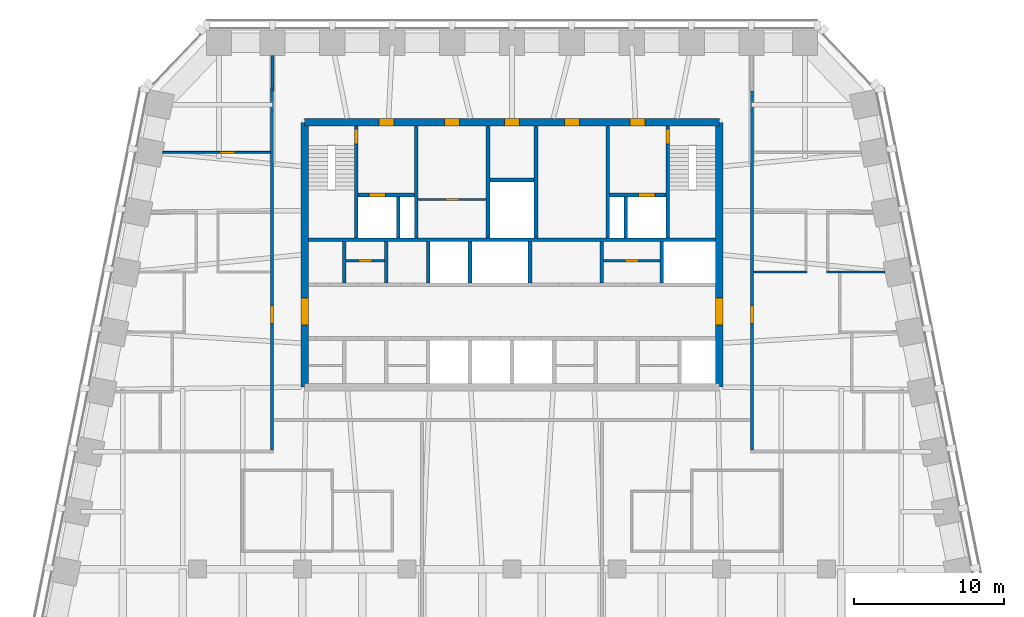
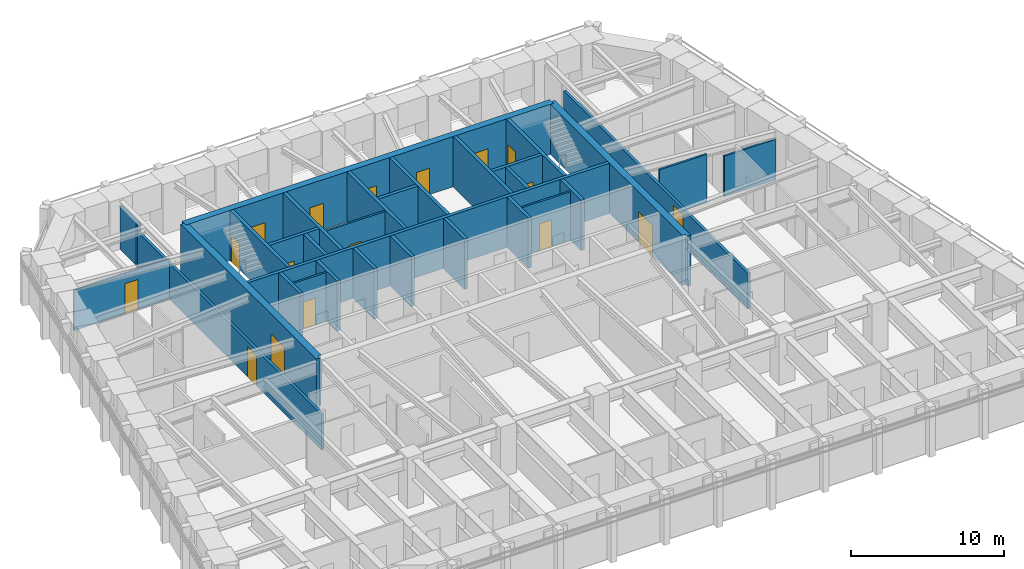
# One storey, part 9 of 12: 32 walls, 17 doors, 17 openings.
"""IFC4 building model written with IfcOpenShell, lengths in metres."""

from ifc_helpers import new_model, si_unit, direction, frame, frame_2d, origin, place, context, subcontext, project, spatial, polyline, rectangle, outline, extrude, material, layer, layer_set, type_object, element, fill, save


model = new_model("IFC4")

# Units and contexts
model_context = context("Model", 3, precision=1e-05, world=origin(), true_north=direction((0.0, 1.0)))
body_context = subcontext(model_context, "Body", "Model", "MODEL_VIEW")
ifc_project = project(units=[si_unit("LENGTHUNIT", "METRE"), si_unit("AREAUNIT", "SQUARE_METRE"), si_unit("VOLUMEUNIT", "CUBIC_METRE"), si_unit("PLANEANGLEUNIT", "RADIAN"), si_unit("MASSUNIT", "GRAM", prefix="KILO")], contexts=[model_context])

# Site, building, storey
site_placement = place(None, origin())
site = spatial("IfcSite", under=ifc_project, at=site_placement, CompositionType="ELEMENT")
building_placement = place(site_placement, origin())
building = spatial("IfcBuilding", under=site, at=building_placement, Name="Isbrekke Arena Tower", CompositionType="ELEMENT")
storey_placement = place(building_placement, frame((0.0, 0.0, 256.0)))
storey = spatial("IfcBuildingStorey", under=building, at=storey_placement, Name="L59", CompositionType="ELEMENT", Elevation=256.0)

# Wall, opening, door
ifc_material_1 = material(Name="Concrete B55 (C55/67)", Category="concrete")
ifc_layer_1 = layer(ifc_material_1, 0.5)
ifc_layer_set_1 = layer_set([ifc_layer_1], Name="CW5 CORE WALL 500")
wall_type_1 = type_object("IfcWallType", Name="CW5 CORE WALL 500", PredefinedType="SHEAR", material=ifc_layer_set_1)
wall_1_placement = place(storey_placement, frame((13.85009765625, 6.14990234375, 0.0), z_axis=(0.0, 0.0, 1.0), x_axis=(0.0, 1.0, 0.0)))
wall_1 = element("IfcWall", 1, at=wall_1_placement, inside=storey, type_object=wall_type_1, Name="Core wall E L59", PredefinedType="SHEAR", context=body_context, shape_type="SweptSolid", body=[
    extrude(outline(polyline([(0.0, -0.25), (17.7001953125, -0.25), (17.7001953125, 0.0), (17.4501953125, 0.0), (17.4501953125, 0.25), (0.25, 0.25), (0.25, 0.0), (0.0, 0.0), (0.0, -0.25)])), origin(), (0.0, 0.0, 1.0), 4.0),
])
opening_1_placement = place(wall_1_placement, frame((4.14990234375, 0.0, 0.0)))
opening_1 = element("IfcOpeningElement", 2, at=opening_1_placement, cuts=wall_1, Name="Opening D1", PredefinedType="OPENING", context=body_context, shape_type="SweptSolid", body=[
    extrude(rectangle(XDim=1.800048828125, YDim=2.39990234375, at=frame_2d((0.89990234375, 1.199951171875))), frame((0.0, 0.264892578125, 0.0), z_axis=(0.0, -1.0, 0.0), x_axis=(1.0, 0.0, 0.0)), (0.0, 0.0, 1.0), 0.52978515625),
])
ifc_material_2 = material(Name="Steel-framed glazed fire door", Category="steel")
door_type_1 = type_object("IfcDoorType", Name="D1 CORE LOBBY DOOR 1800 x 2400", OperationType="DOUBLE_DOOR_SINGLE_SWING", PredefinedType="DOOR", material=ifc_material_2)
door_1_placement = place(opening_1_placement, origin())
door_1 = element("IfcDoor", 3, at=door_1_placement, inside=storey, type_object=door_type_1, Name="D1 lift lobby door east L59", OperationType="DOUBLE_DOOR_SINGLE_SWING", OverallHeight=2.39990234375, OverallWidth=1.800048828125, PredefinedType="DOOR", context=body_context, shape_type="SweptSolid", body=[
    extrude(rectangle(XDim=1.800048828125, YDim=2.39990234375, at=frame_2d((0.89990234375, 1.199951171875))), frame((0.0, 0.249755859375, 0.0), z_axis=(0.0, -1.0, 0.0), x_axis=(1.0, 0.0, 0.0)), (0.0, 0.0, 1.0), 0.49951171875),
])
fill(opening_1, door_1)

# Wall, openings, doors
wall_2_placement = place(storey_placement, frame((13.85009765625, 23.85009765625, 0.0), z_axis=(0.0, 0.0, 1.0), x_axis=(-1.0, 0.0, 0.0)))
wall_2 = element("IfcWall", 4, at=wall_2_placement, inside=storey, type_object=wall_type_1, Name="Core wall N L59", PredefinedType="SHEAR", context=body_context, shape_type="SweptSolid", body=[
    extrude(rectangle(XDim=27.7001953125, YDim=0.5, at=frame_2d((13.85009765625, 0.0))), origin(), (0.0, 0.0, 1.0), 4.0),
])
opening_2_placement = place(wall_2_placement, frame((21.75, 0.0, 0.0)))
opening_2 = element("IfcOpeningElement", 5, at=opening_2_placement, cuts=wall_2, Name="Opening D3", PredefinedType="OPENING", context=body_context, shape_type="SweptSolid", body=[
    extrude(rectangle(XDim=1.0, YDim=2.10009765625, at=frame_2d((0.5, 1.050048828125))), frame((0.0, 0.264892578125, 0.0), z_axis=(0.0, -1.0, 0.0), x_axis=(1.0, 0.0, 0.0)), (0.0, 0.0, 1.0), 0.52978515625),
])
opening_3_placement = place(wall_2_placement, frame((4.949951171875, 0.0, 0.0)))
opening_3 = element("IfcOpeningElement", 6, at=opening_3_placement, cuts=wall_2, Name="Opening D3", PredefinedType="OPENING", context=body_context, shape_type="SweptSolid", body=[
    extrude(rectangle(XDim=1.0, YDim=2.10009765625, at=frame_2d((0.5, 1.050048828125))), frame((0.0, 0.264892578125, 0.0), z_axis=(0.0, -1.0, 0.0), x_axis=(1.0, 0.0, 0.0)), (0.0, 0.0, 1.0), 0.52978515625),
])
opening_4_placement = place(wall_2_placement, frame((17.35009765625, 0.0, 0.0)))
opening_4 = element("IfcOpeningElement", 7, at=opening_4_placement, cuts=wall_2, Name="Opening D4", PredefinedType="OPENING", context=body_context, shape_type="SweptSolid", body=[
    extrude(rectangle(XDim=1.0, YDim=2.10009765625, at=frame_2d((0.5, 1.050048828125))), frame((0.0, 0.264892578125, 0.0), z_axis=(0.0, -1.0, 0.0), x_axis=(1.0, 0.0, 0.0)), (0.0, 0.0, 1.0), 0.52978515625),
])
opening_5_placement = place(wall_2_placement, frame((13.35009765625, 0.0, 0.0)))
opening_5 = element("IfcOpeningElement", 8, at=opening_5_placement, cuts=wall_2, Name="Opening D4", PredefinedType="OPENING", context=body_context, shape_type="SweptSolid", body=[
    extrude(rectangle(XDim=1.0, YDim=2.10009765625, at=frame_2d((0.5, 1.050048828125))), frame((0.0, 0.264892578125, 0.0), z_axis=(0.0, -1.0, 0.0), x_axis=(1.0, 0.0, 0.0)), (0.0, 0.0, 1.0), 0.52978515625),
])
opening_6_placement = place(wall_2_placement, frame((9.35009765625, 0.0, 0.0)))
opening_6 = element("IfcOpeningElement", 9, at=opening_6_placement, cuts=wall_2, Name="Opening D4", PredefinedType="OPENING", context=body_context, shape_type="SweptSolid", body=[
    extrude(rectangle(XDim=1.0, YDim=2.10009765625, at=frame_2d((0.5, 1.050048828125))), frame((0.0, 0.264892578125, 0.0), z_axis=(0.0, -1.0, 0.0), x_axis=(1.0, 0.0, 0.0)), (0.0, 0.0, 1.0), 0.52978515625),
])
ifc_material_3 = material(Name="Steel fire door", Category="steel")
door_type_2 = type_object("IfcDoorType", Name="D3 FIRE LOBBY DOOR 1000 x 2100", OperationType="SINGLE_SWING_RIGHT", PredefinedType="DOOR", material=ifc_material_3)
door_2_placement = place(opening_2_placement, origin())
door_2 = element("IfcDoor", 10, at=door_2_placement, inside=storey, type_object=door_type_2, Name="D3 fire-fighting lobby door L59", OperationType="SINGLE_SWING_RIGHT", OverallHeight=2.10009765625, OverallWidth=1.0, PredefinedType="DOOR", context=body_context, shape_type="SweptSolid", body=[
    extrude(rectangle(XDim=1.0, YDim=2.10009765625, at=frame_2d((0.5, 1.050048828125))), frame((0.0, 0.249755859375, 0.0), z_axis=(0.0, -1.0, 0.0), x_axis=(1.0, 0.0, 0.0)), (0.0, 0.0, 1.0), 0.49951171875),
])
fill(opening_2, door_2)
door_3_placement = place(opening_3_placement, origin())
door_3 = element("IfcDoor", 11, at=door_3_placement, inside=storey, type_object=door_type_2, Name="D3 fire-fighting lobby door L59", OperationType="SINGLE_SWING_RIGHT", OverallHeight=2.10009765625, OverallWidth=1.0, PredefinedType="DOOR", context=body_context, shape_type="SweptSolid", body=[
    extrude(rectangle(XDim=1.0, YDim=2.10009765625, at=frame_2d((0.5, 1.050048828125))), frame((0.0, 0.249755859375, 0.0), z_axis=(0.0, -1.0, 0.0), x_axis=(1.0, 0.0, 0.0)), (0.0, 0.0, 1.0), 0.49951171875),
])
fill(opening_3, door_3)
ifc_material_4 = material(Name="Timber door", Category="wood")
door_type_3 = type_object("IfcDoorType", Name="D4 WC DOOR 1000 x 2100", OperationType="SINGLE_SWING_LEFT", PredefinedType="DOOR", material=ifc_material_4)
door_4_placement = place(opening_4_placement, origin())
door_4 = element("IfcDoor", 12, at=door_4_placement, inside=storey, type_object=door_type_3, Name="D4 wc female door L59", OperationType="SINGLE_SWING_LEFT", OverallHeight=2.10009765625, OverallWidth=1.0, PredefinedType="DOOR", context=body_context, shape_type="SweptSolid", body=[
    extrude(rectangle(XDim=1.0, YDim=2.10009765625, at=frame_2d((0.5, 1.050048828125))), frame((0.0, 0.249755859375, 0.0), z_axis=(0.0, -1.0, 0.0), x_axis=(1.0, 0.0, 0.0)), (0.0, 0.0, 1.0), 0.49951171875),
])
fill(opening_4, door_4)
door_5_placement = place(opening_5_placement, origin())
door_5 = element("IfcDoor", 13, at=door_5_placement, inside=storey, type_object=door_type_3, Name="D4 accessible wc door L59", OperationType="SINGLE_SWING_LEFT", OverallHeight=2.10009765625, OverallWidth=1.0, PredefinedType="DOOR", context=body_context, shape_type="SweptSolid", body=[
    extrude(rectangle(XDim=1.0, YDim=2.10009765625, at=frame_2d((0.5, 1.050048828125))), frame((0.0, 0.249755859375, 0.0), z_axis=(0.0, -1.0, 0.0), x_axis=(1.0, 0.0, 0.0)), (0.0, 0.0, 1.0), 0.49951171875),
])
fill(opening_5, door_5)
door_6_placement = place(opening_6_placement, origin())
door_6 = element("IfcDoor", 14, at=door_6_placement, inside=storey, type_object=door_type_3, Name="D4 wc male door L59", OperationType="SINGLE_SWING_LEFT", OverallHeight=2.10009765625, OverallWidth=1.0, PredefinedType="DOOR", context=body_context, shape_type="SweptSolid", body=[
    extrude(rectangle(XDim=1.0, YDim=2.10009765625, at=frame_2d((0.5, 1.050048828125))), frame((0.0, 0.249755859375, 0.0), z_axis=(0.0, -1.0, 0.0), x_axis=(1.0, 0.0, 0.0)), (0.0, 0.0, 1.0), 0.49951171875),
])
fill(opening_6, door_6)

# Wall, opening, door
wall_3_placement = place(storey_placement, frame((-13.85009765625, 23.85009765625, 0.0), z_axis=(0.0, 0.0, 1.0), x_axis=(0.0, -1.0, 0.0)))
wall_3 = element("IfcWall", 15, at=wall_3_placement, inside=storey, type_object=wall_type_1, Name="Core wall W L59", PredefinedType="SHEAR", context=body_context, shape_type="SweptSolid", body=[
    extrude(outline(polyline([(0.0, -0.25), (17.7001953125, -0.25), (17.7001953125, 0.0), (17.4501953125, 0.0), (17.4501953125, 0.25), (0.25, 0.25), (0.25, 0.0), (0.0, 0.0), (0.0, -0.25)])), origin(), (0.0, 0.0, 1.0), 4.0),
])
opening_7_placement = place(wall_3_placement, frame((11.75, 0.0, 0.0)))
opening_7 = element("IfcOpeningElement", 16, at=opening_7_placement, cuts=wall_3, Name="Opening D1", PredefinedType="OPENING", context=body_context, shape_type="SweptSolid", body=[
    extrude(rectangle(XDim=1.800048828125, YDim=2.39990234375, at=frame_2d((0.89990234375, 1.199951171875))), frame((0.0, 0.264892578125, 0.0), z_axis=(0.0, -1.0, 0.0), x_axis=(1.0, 0.0, 0.0)), (0.0, 0.0, 1.0), 0.52978515625),
])
door_7_placement = place(opening_7_placement, origin())
door_7 = element("IfcDoor", 17, at=door_7_placement, inside=storey, type_object=door_type_1, Name="D1 lift lobby door west L59", OperationType="DOUBLE_DOOR_SINGLE_SWING", OverallHeight=2.39990234375, OverallWidth=1.800048828125, PredefinedType="DOOR", context=body_context, shape_type="SweptSolid", body=[
    extrude(rectangle(XDim=1.800048828125, YDim=2.39990234375, at=frame_2d((0.89990234375, 1.199951171875))), frame((0.0, 0.249755859375, 0.0), z_axis=(0.0, -1.0, 0.0), x_axis=(1.0, 0.0, 0.0)), (0.0, 0.0, 1.0), 0.49951171875),
])
fill(opening_7, door_7)

# Walls
ifc_material_5 = material(Name="Concrete B45 (C45/55)", Category="concrete")
ifc_layer_2 = layer(ifc_material_5, 0.25)
ifc_layer_set_2 = layer_set([ifc_layer_2], Name="CW6 SHAFT WALL 250")
wall_type_2 = type_object("IfcWallType", Name="CW6 SHAFT WALL 250", PredefinedType="SHEAR", material=ifc_layer_set_2)
wall_4_placement = place(storey_placement, frame((-13.60009765625, 16.0, 0.0), z_axis=(0.0, 0.0, 1.0), x_axis=(1.0, 0.0, 0.0)))
element("IfcWall", 18, at=wall_4_placement, inside=storey, type_object=wall_type_2, Name="Core wall NB L59", PredefinedType="SHEAR", context=body_context, shape_type="SweptSolid", body=[
    extrude(rectangle(XDim=27.2001953125, YDim=0.25, at=frame_2d((13.60009765625, 0.0))), origin(), (0.0, 0.0, 1.0), 4.0),
])
for number, where, z_axis, x_axis, name in (
    (19, (-11.199951171875, 13.125, 0.0), (0.0, 0.0, 1.0), (0.0, 1.0, 0.0), "Core wall SN01 L59"),
    (20, (-8.39990234375, 13.125, 0.0), (0.0, 0.0, 1.0), (0.0, 1.0, 0.0), "Core wall SN02 L59"),
    (21, (-5.60009765625, 13.125, 0.0), (0.0, 0.0, 1.0), (0.0, 1.0, 0.0), "Core wall SN03 L59"),
    (22, (-2.800048828125, 13.125, 0.0), (0.0, 0.0, 1.0), (0.0, 1.0, 0.0), "Core wall SN04 L59"),
    (23, (1.199951171875, 13.125, 0.0), (0.0, 0.0, 1.0), (0.0, 1.0, 0.0), "Core wall SN05 L59"),
    (24, (6.0, 13.125, 0.0), (0.0, 0.0, 1.0), (0.0, 1.0, 0.0), "Core wall SN06 L59"),
    (25, (10.0, 13.125, 0.0), (0.0, 0.0, 1.0), (0.0, 1.0, 0.0), "Core wall SN07 L59"),
):
    element("IfcWall", number, at=place(storey_placement, frame(where, z_axis=z_axis, x_axis=x_axis)), inside=storey, type_object=wall_type_2, Name=name, PredefinedType="SHEAR", context=body_context, shape_type="SweptSolid", body=[
        extrude(rectangle(XDim=2.75, YDim=0.25, at=frame_2d((1.375, 0.0))), origin(), (0.0, 0.0, 1.0), 4.0),
    ])

# Wall, opening, door
wall_5_placement = place(storey_placement, frame((-10.39990234375, 16.125, 0.0), z_axis=(0.0, 0.0, 1.0), x_axis=(0.0, 1.0, 0.0)))
wall_5 = element("IfcWall", 26, at=wall_5_placement, inside=storey, type_object=wall_type_2, Name="Core wall NV01 L59", PredefinedType="SHEAR", context=body_context, shape_type="SweptSolid", body=[
    extrude(rectangle(XDim=7.47509765625, YDim=0.25, at=frame_2d((3.737548828125, 0.0))), origin(), (0.0, 0.0, 1.0), 4.0),
])
opening_8_placement = place(wall_5_placement, frame((6.27490234375, 0.0, 0.0)))
opening_8 = element("IfcOpeningElement", 27, at=opening_8_placement, cuts=wall_5, Name="Opening D2", PredefinedType="OPENING", context=body_context, shape_type="SweptSolid", body=[
    extrude(rectangle(XDim=1.0, YDim=2.10009765625, at=frame_2d((0.5, 1.050048828125))), frame((0.0, 0.139892578125, 0.0), z_axis=(0.0, -1.0, 0.0), x_axis=(1.0, 0.0, 0.0)), (0.0, 0.0, 1.0), 0.27978515625),
])
ifc_material_6 = material(Name="Steel fire door", Category="steel")
door_type_4 = type_object("IfcDoorType", Name="D2 STAIR DOOR 1000 x 2100", OperationType="SINGLE_SWING_LEFT", PredefinedType="DOOR", material=ifc_material_6)
door_8_placement = place(opening_8_placement, origin())
door_8 = element("IfcDoor", 28, at=door_8_placement, inside=storey, type_object=door_type_4, Name="D2 stair door ST1 L59", OperationType="SINGLE_SWING_LEFT", OverallHeight=2.10009765625, OverallWidth=1.0, PredefinedType="DOOR", context=body_context, shape_type="SweptSolid", body=[
    extrude(rectangle(XDim=1.0, YDim=2.10009765625, at=frame_2d((0.5, 1.050048828125))), frame((0.0, 0.124755859375, 0.0), z_axis=(0.0, -1.0, 0.0), x_axis=(1.0, 0.0, 0.0)), (0.0, 0.0, 1.0), 0.24951171875),
])
fill(opening_8, door_8)

# Walls
for number, where, z_axis, x_axis, name in (
    (29, (-6.39990234375, 16.125, 0.0), (0.0, 0.0, 1.0), (0.0, 1.0, 0.0), "Core wall NV02 L59"),
    (30, (-1.60009765625, 16.125, 0.0), (0.0, 0.0, 1.0), (0.0, 1.0, 0.0), "Core wall NV03 L59"),
    (31, (1.60009765625, 16.125, 0.0), (0.0, 0.0, 1.0), (0.0, 1.0, 0.0), "Core wall NV04 L59"),
    (32, (6.39990234375, 16.125, 0.0), (0.0, 0.0, 1.0), (0.0, 1.0, 0.0), "Core wall NV05 L59"),
):
    element("IfcWall", number, at=place(storey_placement, frame(where, z_axis=z_axis, x_axis=x_axis)), inside=storey, type_object=wall_type_2, Name=name, PredefinedType="SHEAR", context=body_context, shape_type="SweptSolid", body=[
        extrude(rectangle(XDim=7.47509765625, YDim=0.25, at=frame_2d((3.737548828125, 0.0))), origin(), (0.0, 0.0, 1.0), 4.0),
    ])

# Wall, opening, door
wall_6_placement = place(storey_placement, frame((10.39990234375, 16.125, 0.0), z_axis=(0.0, 0.0, 1.0), x_axis=(0.0, 1.0, 0.0)))
wall_6 = element("IfcWall", 33, at=wall_6_placement, inside=storey, type_object=wall_type_2, Name="Core wall NV06 L59", PredefinedType="SHEAR", context=body_context, shape_type="SweptSolid", body=[
    extrude(rectangle(XDim=7.47509765625, YDim=0.25, at=frame_2d((3.737548828125, 0.0))), origin(), (0.0, 0.0, 1.0), 4.0),
])
opening_9_placement = place(wall_6_placement, frame((6.27490234375, 0.0, 0.0)))
opening_9 = element("IfcOpeningElement", 34, at=opening_9_placement, cuts=wall_6, Name="Opening D2", PredefinedType="OPENING", context=body_context, shape_type="SweptSolid", body=[
    extrude(rectangle(XDim=1.0, YDim=2.10009765625, at=frame_2d((0.5, 1.050048828125))), frame((0.0, 0.139892578125, 0.0), z_axis=(0.0, -1.0, 0.0), x_axis=(1.0, 0.0, 0.0)), (0.0, 0.0, 1.0), 0.27978515625),
])
door_9_placement = place(opening_9_placement, origin())
door_9 = element("IfcDoor", 35, at=door_9_placement, inside=storey, type_object=door_type_4, Name="D2 stair door ST2 L59", OperationType="SINGLE_SWING_LEFT", OverallHeight=2.10009765625, OverallWidth=1.0, PredefinedType="DOOR", context=body_context, shape_type="SweptSolid", body=[
    extrude(rectangle(XDim=1.0, YDim=2.10009765625, at=frame_2d((0.5, 1.050048828125))), frame((0.0, 0.124755859375, 0.0), z_axis=(0.0, -1.0, 0.0), x_axis=(1.0, 0.0, 0.0)), (0.0, 0.0, 1.0), 0.24951171875),
])
fill(opening_9, door_9)

wall_7_placement = place(storey_placement, frame((-10.27490234375, 19.0, 0.0), z_axis=(0.0, 0.0, 1.0), x_axis=(1.0, 0.0, 0.0)))
wall_7 = element("IfcWall", 36, at=wall_7_placement, inside=storey, type_object=wall_type_2, Name="Core wall NFW L59", PredefinedType="SHEAR", context=body_context, shape_type="SweptSolid", body=[
    extrude(rectangle(XDim=3.75, YDim=0.25, at=frame_2d((1.875, 0.0))), origin(), (0.0, 0.0, 1.0), 4.0),
])
opening_10_placement = place(wall_7_placement, frame((0.72509765625, 0.0, 0.0)))
opening_10 = element("IfcOpeningElement", 37, at=opening_10_placement, cuts=wall_7, Name="Opening LD2", PredefinedType="OPENING", context=body_context, shape_type="SweptSolid", body=[
    extrude(rectangle(XDim=1.10009765625, YDim=2.10009765625, at=frame_2d((0.550048828125, 1.050048828125))), frame((0.0, 0.139892578125, 0.0), z_axis=(0.0, -1.0, 0.0), x_axis=(1.0, 0.0, 0.0)), (0.0, 0.0, 1.0), 0.27978515625),
])
ifc_material_7 = material(Name="Stainless steel lift landing door", Category="steel")
door_type_5 = type_object("IfcDoorType", Name="LD2 FIRE-FIGHTING LIFT LANDING DOOR 1100 x 2100", OperationType="SLIDING_TO_RIGHT", PredefinedType="DOOR", material=ifc_material_7)
door_10_placement = place(opening_10_placement, origin())
door_10 = element("IfcDoor", 38, at=door_10_placement, inside=storey, type_object=door_type_5, Name="LD2 lift landing door LF L59", OperationType="SLIDING_TO_RIGHT", OverallHeight=2.10009765625, OverallWidth=1.10009765625, PredefinedType="DOOR", context=body_context, shape_type="SweptSolid", body=[
    extrude(rectangle(XDim=1.10009765625, YDim=2.10009765625, at=frame_2d((0.550048828125, 1.050048828125))), frame((0.0, 0.124755859375, 0.0), z_axis=(0.0, -1.0, 0.0), x_axis=(1.0, 0.0, 0.0)), (0.0, 0.0, 1.0), 0.24951171875),
])
fill(opening_10, door_10)

wall_8_placement = place(storey_placement, frame((6.52490234375, 19.0, 0.0), z_axis=(0.0, 0.0, 1.0), x_axis=(1.0, 0.0, 0.0)))
wall_8 = element("IfcWall", 39, at=wall_8_placement, inside=storey, type_object=wall_type_2, Name="Core wall NFE L59", PredefinedType="SHEAR", context=body_context, shape_type="SweptSolid", body=[
    extrude(rectangle(XDim=3.75, YDim=0.25, at=frame_2d((1.875, 0.0))), origin(), (0.0, 0.0, 1.0), 4.0),
])
opening_11_placement = place(wall_8_placement, frame((1.925048828125, 0.0, 0.0)))
opening_11 = element("IfcOpeningElement", 40, at=opening_11_placement, cuts=wall_8, Name="Opening LD2", PredefinedType="OPENING", context=body_context, shape_type="SweptSolid", body=[
    extrude(rectangle(XDim=1.10009765625, YDim=2.10009765625, at=frame_2d((0.550048828125, 1.050048828125))), frame((0.0, 0.139892578125, 0.0), z_axis=(0.0, -1.0, 0.0), x_axis=(1.0, 0.0, 0.0)), (0.0, 0.0, 1.0), 0.27978515625),
])
door_11_placement = place(opening_11_placement, origin())
door_11 = element("IfcDoor", 41, at=door_11_placement, inside=storey, type_object=door_type_5, Name="LD2 lift landing door LF L59", OperationType="SLIDING_TO_RIGHT", OverallHeight=2.10009765625, OverallWidth=1.10009765625, PredefinedType="DOOR", context=body_context, shape_type="SweptSolid", body=[
    extrude(rectangle(XDim=1.10009765625, YDim=2.10009765625, at=frame_2d((0.550048828125, 1.050048828125))), frame((0.0, 0.124755859375, 0.0), z_axis=(0.0, -1.0, 0.0), x_axis=(1.0, 0.0, 0.0)), (0.0, 0.0, 1.0), 0.24951171875),
])
fill(opening_11, door_11)

# Walls
for number, where, z_axis, x_axis, name in (
    (42, (-7.60009765625, 16.125, 0.0), (0.0, 0.0, 1.0), (0.0, 1.0, 0.0), "Core wall NFS1 L59"),
    (43, (7.60009765625, 16.125, 0.0), (0.0, 0.0, 1.0), (0.0, 1.0, 0.0), "Core wall NFS2 L59"),
):
    element("IfcWall", number, at=place(storey_placement, frame(where, z_axis=z_axis, x_axis=x_axis)), inside=storey, type_object=wall_type_2, Name=name, PredefinedType="SHEAR", context=body_context, shape_type="SweptSolid", body=[
        extrude(rectangle(XDim=2.75, YDim=0.25, at=frame_2d((1.375, 0.0))), origin(), (0.0, 0.0, 1.0), 4.0),
    ])
wall_9_placement = place(storey_placement, frame((-1.47509765625, 20.0, 0.0), z_axis=(0.0, 0.0, 1.0), x_axis=(1.0, 0.0, 0.0)))
element("IfcWall", 44, at=wall_9_placement, inside=storey, type_object=wall_type_2, Name="Core wall NWC L59", PredefinedType="SHEAR", context=body_context, shape_type="SweptSolid", body=[
    extrude(rectangle(XDim=2.9501953125, YDim=0.25, at=frame_2d((1.47509765625, 0.0))), origin(), (0.0, 0.0, 1.0), 4.0),
])
ifc_material_8 = material(Name="Gypsum board partition on steel studs", Category="steel")
ifc_layer_3 = layer(ifc_material_8, 0.14990234375)
ifc_layer_set_3 = layer_set([ifc_layer_3], Name="IW1 PARTITION 150")
wall_type_3 = type_object("IfcWallType", Name="IW1 PARTITION 150", PredefinedType="PARTITIONING", material=ifc_layer_set_3)
wall_10_placement = place(storey_placement, frame((16.14990234375, 13.840087890625, 0.0), z_axis=(0.0, 0.0, 1.0), x_axis=(1.0, 0.0, 0.0)))
element("IfcWall", 45, at=wall_10_placement, inside=storey, type_object=wall_type_3, Name="IW1 partition 150 L59", PredefinedType="PARTITIONING", context=body_context, shape_type="SweptSolid", body=[
    extrude(rectangle(XDim=3.5751953125, YDim=0.14990234375, at=frame_2d((1.78759765625, 0.0))), origin(), (0.0, 0.0, 1.0), 3.85009765625),
])
wall_11_placement = place(storey_placement, frame((21.02490234375, 13.840087890625, 0.0), z_axis=(0.0, 0.0, 1.0), x_axis=(1.0, 0.0, 0.0)))
element("IfcWall", 46, at=wall_11_placement, inside=storey, type_object=wall_type_3, Name="IW1 partition 150 L59", PredefinedType="PARTITIONING", context=body_context, shape_type="SweptSolid", body=[
    extrude(rectangle(XDim=3.89892578125, YDim=0.14990234375, at=frame_2d((1.949462890625, 0.0))), origin(), (0.0, 0.0, 1.0), 3.22998046875),
])

# Wall, opening, door
ifc_material_9 = material(Name="Frameless glazed partition, laminated acoustic glass", Category="glass")
ifc_layer_4 = layer(ifc_material_9, 0.1201171875)
ifc_layer_set_4 = layer_set([ifc_layer_4], Name="IW2 GLAZED PARTITION 120")
wall_type_4 = type_object("IfcWallType", Name="IW2 GLAZED PARTITION 120", PredefinedType="PARTITIONING", material=ifc_layer_set_4)
wall_12_placement = place(storey_placement, frame((-23.32373046875, 21.840087890625, 0.0), z_axis=(0.0, 0.0, 1.0), x_axis=(1.0, 0.0, 0.0)))
wall_12 = element("IfcWall", 47, at=wall_12_placement, inside=storey, type_object=wall_type_4, Name="IW2 glazed partition 120 L59", PredefinedType="PARTITIONING", context=body_context, shape_type="SweptSolid", body=[
    extrude(rectangle(XDim=7.173828125, YDim=0.1201171875, at=frame_2d((3.5869140625, 0.0))), origin(), (0.0, 0.0, 1.0), 3.22998046875),
])
opening_12_placement = place(wall_12_placement, frame((3.82373046875, 0.0, 0.0)))
opening_12 = element("IfcOpeningElement", 48, at=opening_12_placement, cuts=wall_12, Name="Opening D11", PredefinedType="OPENING", context=body_context, shape_type="SweptSolid", body=[
    extrude(rectangle(XDim=1.0, YDim=2.39990234375, at=frame_2d((0.5, 1.199951171875))), frame((0.0, 0.074951171875, 0.0), z_axis=(0.0, -1.0, 0.0), x_axis=(1.0, 0.0, 0.0)), (0.0, 0.0, 1.0), 0.14990234375),
])
ifc_material_10 = material(Name="Frameless glazed door", Category="glass")
door_type_6 = type_object("IfcDoorType", Name="D11 GLAZED MEETING ROOM DOOR 1000 x 2400", OperationType="SINGLE_SWING_RIGHT", PredefinedType="DOOR", material=ifc_material_10)
door_12_placement = place(opening_12_placement, origin())
door_12 = element("IfcDoor", 49, at=door_12_placement, inside=storey, type_object=door_type_6, Name="D11 meeting room door L59", OperationType="SINGLE_SWING_RIGHT", OverallHeight=2.39990234375, OverallWidth=1.0, PredefinedType="DOOR", context=body_context, shape_type="SweptSolid", body=[
    extrude(rectangle(XDim=1.0, YDim=2.39990234375, at=frame_2d((0.5, 1.199951171875))), frame((0.0, 0.059814453125, 0.0), z_axis=(0.0, -1.0, 0.0), x_axis=(1.0, 0.0, 0.0)), (0.0, 0.0, 1.0), 0.11962890625),
])
fill(opening_12, door_12)

# Wall
ifc_material_11 = material(Name="Gypsum board fire-cell wall on steel studs, two layers each side", Category="steel")
ifc_layer_5 = layer(ifc_material_11, 0.199951171875)
ifc_layer_set_5 = layer_set([ifc_layer_5], Name="IW3 FIRE-CELL WALL 200")
wall_type_5 = type_object("IfcWallType", Name="IW3 FIRE-CELL WALL 200", PredefinedType="PARTITIONING", material=ifc_layer_set_5)
wall_13_placement = place(storey_placement, frame((-16.14990234375, 26.050048828125, 0.0), z_axis=(0.0, 0.0, 1.0), x_axis=(1.0, 0.0, 0.0)))
element("IfcWall", 50, at=wall_13_placement, inside=storey, type_object=wall_type_5, Name="IW3 fire-cell wall 200 L59", PredefinedType="PARTITIONING", context=body_context, shape_type="SweptSolid", body=[
    extrude(rectangle(XDim=0.25, YDim=0.199951171875, at=frame_2d((0.125, 0.0))), origin(), (0.0, 0.0, 1.0), 3.41796875),
])

# Wall, opening, door
wall_14_placement = place(storey_placement, frame((-16.050048828125, 1.93994140625, 0.0), z_axis=(0.0, 0.0, 1.0), x_axis=(0.0, 1.0, 0.0)))
wall_14 = element("IfcWall", 51, at=wall_14_placement, inside=storey, type_object=wall_type_5, Name="IW3 fire-cell wall 200 L59", PredefinedType="PARTITIONING", context=body_context, shape_type="SweptSolid", body=[
    extrude(rectangle(XDim=24.010009765625, YDim=0.199951171875, at=frame_2d((12.0048828125, 0.0))), origin(), (0.0, 0.0, 1.0), 2.842041015625),
])
opening_13_placement = place(wall_14_placement, frame((8.4599609375, 0.0, 0.0)))
opening_13 = element("IfcOpeningElement", 52, at=opening_13_placement, cuts=wall_14, Name="Opening D12", PredefinedType="OPENING", context=body_context, shape_type="SweptSolid", body=[
    extrude(rectangle(XDim=1.199951171875, YDim=2.39990234375, at=frame_2d((0.60009765625, 1.199951171875))), frame((0.0, 0.11474609375, 0.0), z_axis=(0.0, -1.0, 0.0), x_axis=(1.0, 0.0, 0.0)), (0.0, 0.0, 1.0), 0.229736328125),
])
ifc_material_12 = material(Name="Timber fire door with vision panel", Category="wood")
door_type_7 = type_object("IfcDoorType", Name="D12 SUITE ENTRANCE DOOR 1200 x 2400", OperationType="SINGLE_SWING_LEFT", PredefinedType="DOOR", material=ifc_material_12)
door_13_placement = place(opening_13_placement, origin())
door_13 = element("IfcDoor", 53, at=door_13_placement, inside=storey, type_object=door_type_7, Name="D12 suite entrance W door L59", OperationType="SINGLE_SWING_LEFT", OverallHeight=2.39990234375, OverallWidth=1.199951171875, PredefinedType="DOOR", context=body_context, shape_type="SweptSolid", body=[
    extrude(rectangle(XDim=1.199951171875, YDim=2.39990234375, at=frame_2d((0.60009765625, 1.199951171875))), frame((0.0, 0.099609375, 0.0), z_axis=(0.0, -1.0, 0.0), x_axis=(1.0, 0.0, 0.0)), (0.0, 0.0, 1.0), 0.199462890625),
])
fill(opening_13, door_13)

# Wall
wall_15_placement = place(storey_placement, frame((-16.0, 26.14990234375, 0.0), z_axis=(0.0, 0.0, 1.0), x_axis=(0.0, 1.0, 0.0)))
element("IfcWall", 54, at=wall_15_placement, inside=storey, type_object=wall_type_5, Name="IW3 fire-cell wall 200 L59", PredefinedType="PARTITIONING", context=body_context, shape_type="SweptSolid", body=[
    extrude(rectangle(XDim=2.175048828125, YDim=0.199951171875, at=frame_2d((1.08740234375, 0.0))), origin(), (0.0, 0.0, 1.0), 3.41796875),
])

# Wall, opening, door
wall_16_placement = place(storey_placement, frame((16.050048828125, 1.93994140625, 0.0), z_axis=(0.0, 0.0, 1.0), x_axis=(0.0, 1.0, 0.0)))
wall_16 = element("IfcWall", 55, at=wall_16_placement, inside=storey, type_object=wall_type_5, Name="IW3 fire-cell wall 200 L59", PredefinedType="PARTITIONING", context=body_context, shape_type="SweptSolid", body=[
    extrude(rectangle(XDim=24.010009765625, YDim=0.199951171875, at=frame_2d((12.0048828125, 0.0))), origin(), (0.0, 0.0, 1.0), 2.842041015625),
])
opening_14_placement = place(wall_16_placement, frame((8.4599609375, 0.0, 0.0)))
opening_14 = element("IfcOpeningElement", 56, at=opening_14_placement, cuts=wall_16, Name="Opening D12", PredefinedType="OPENING", context=body_context, shape_type="SweptSolid", body=[
    extrude(rectangle(XDim=1.199951171875, YDim=2.39990234375, at=frame_2d((0.60009765625, 1.199951171875))), frame((0.0, 0.11474609375, 0.0), z_axis=(0.0, -1.0, 0.0), x_axis=(1.0, 0.0, 0.0)), (0.0, 0.0, 1.0), 0.229736328125),
])
door_14_placement = place(opening_14_placement, origin())
door_14 = element("IfcDoor", 57, at=door_14_placement, inside=storey, type_object=door_type_7, Name="D12 suite entrance E door L59", OperationType="SINGLE_SWING_LEFT", OverallHeight=2.39990234375, OverallWidth=1.199951171875, PredefinedType="DOOR", context=body_context, shape_type="SweptSolid", body=[
    extrude(rectangle(XDim=1.199951171875, YDim=2.39990234375, at=frame_2d((0.60009765625, 1.199951171875))), frame((0.0, 0.099609375, 0.0), z_axis=(0.0, -1.0, 0.0), x_axis=(1.0, 0.0, 0.0)), (0.0, 0.0, 1.0), 0.199462890625),
])
fill(opening_14, door_14)

ifc_material_13 = material(Name="Gypsum board fire-rated partition on steel studs, two layers each side", Category="steel")
ifc_layer_6 = layer(ifc_material_13, 0.14990234375)
ifc_layer_set_6 = layer_set([ifc_layer_6], Name="IW5 FIRE-RATED PARTITION 150")
wall_type_6 = type_object("IfcWallType", Name="IW5 FIRE-RATED PARTITION 150", PredefinedType="PARTITIONING", material=ifc_layer_set_6)
wall_17_placement = place(storey_placement, frame((-6.27490234375, 18.699951171875, 0.0), z_axis=(0.0, 0.0, 1.0), x_axis=(1.0, 0.0, 0.0)))
wall_17 = element("IfcWall", 58, at=wall_17_placement, inside=storey, type_object=wall_type_6, Name="IW5 fire-rated partition L59 cleaner's store F", PredefinedType="PARTITIONING", context=body_context, shape_type="SweptSolid", body=[
    extrude(rectangle(XDim=4.5498046875, YDim=0.14990234375, at=frame_2d((2.27490234375, 0.0))), origin(), (0.0, 0.0, 1.0), 3.85009765625),
])
opening_15_placement = place(wall_17_placement, frame((1.824951171875, 0.0, 0.0)))
opening_15 = element("IfcOpeningElement", 59, at=opening_15_placement, cuts=wall_17, Name="Opening D5", PredefinedType="OPENING", context=body_context, shape_type="SweptSolid", body=[
    extrude(rectangle(XDim=0.89990234375, YDim=2.10009765625, at=frame_2d((0.449951171875, 1.050048828125))), frame((0.0, 0.08984375, 0.0), z_axis=(0.0, -1.0, 0.0), x_axis=(1.0, 0.0, 0.0)), (0.0, 0.0, 1.0), 0.1796875),
])
ifc_material_14 = material(Name="Steel fire door", Category="steel")
door_type_8 = type_object("IfcDoorType", Name="D5 SERVICE DOOR 900 x 2100", OperationType="SINGLE_SWING_LEFT", PredefinedType="DOOR", material=ifc_material_14)
door_15_placement = place(opening_15_placement, origin())
door_15 = element("IfcDoor", 60, at=door_15_placement, inside=storey, type_object=door_type_8, Name="D5 cleaner's store door L59", OperationType="SINGLE_SWING_LEFT", OverallHeight=2.10009765625, OverallWidth=0.89990234375, PredefinedType="DOOR", context=body_context, shape_type="SweptSolid", body=[
    extrude(rectangle(XDim=0.89990234375, YDim=2.10009765625, at=frame_2d((0.449951171875, 1.050048828125))), frame((0.0, 0.07470703125, 0.0), z_axis=(0.0, -1.0, 0.0), x_axis=(1.0, 0.0, 0.0)), (0.0, 0.0, 1.0), 0.1494140625),
])
fill(opening_15, door_15)

wall_18_placement = place(storey_placement, frame((6.125, 14.60009765625, 0.0), z_axis=(0.0, 0.0, 1.0), x_axis=(1.0, 0.0, 0.0)))
wall_18 = element("IfcWall", 61, at=wall_18_placement, inside=storey, type_object=wall_type_6, Name="IW5 fire-rated partition L59 core service rooms 1", PredefinedType="PARTITIONING", context=body_context, shape_type="SweptSolid", body=[
    extrude(rectangle(XDim=3.75, YDim=0.14990234375, at=frame_2d((1.875, 0.0))), origin(), (0.0, 0.0, 1.0), 3.85009765625),
])
opening_16_placement = place(wall_18_placement, frame((1.425048828125, 0.0, 0.0)))
opening_16 = element("IfcOpeningElement", 62, at=opening_16_placement, cuts=wall_18, Name="Opening D5", PredefinedType="OPENING", context=body_context, shape_type="SweptSolid", body=[
    extrude(rectangle(XDim=0.89990234375, YDim=2.10009765625, at=frame_2d((0.449951171875, 1.050048828125))), frame((0.0, 0.08984375, 0.0), z_axis=(0.0, -1.0, 0.0), x_axis=(1.0, 0.0, 0.0)), (0.0, 0.0, 1.0), 0.1796875),
])
door_16_placement = place(opening_16_placement, origin())
door_16 = element("IfcDoor", 63, at=door_16_placement, inside=storey, type_object=door_type_8, Name="D5 technical room door L59", OperationType="SINGLE_SWING_LEFT", OverallHeight=2.10009765625, OverallWidth=0.89990234375, PredefinedType="DOOR", context=body_context, shape_type="SweptSolid", body=[
    extrude(rectangle(XDim=0.89990234375, YDim=2.10009765625, at=frame_2d((0.449951171875, 1.050048828125))), frame((0.0, 0.07470703125, 0.0), z_axis=(0.0, -1.0, 0.0), x_axis=(1.0, 0.0, 0.0)), (0.0, 0.0, 1.0), 0.1494140625),
])
fill(opening_16, door_16)

wall_19_placement = place(storey_placement, frame((-11.074951171875, 14.60009765625, 0.0), z_axis=(0.0, 0.0, 1.0), x_axis=(1.0, 0.0, 0.0)))
wall_19 = element("IfcWall", 64, at=wall_19_placement, inside=storey, type_object=wall_type_6, Name="IW5 fire-rated partition L59 core service rooms 2", PredefinedType="PARTITIONING", context=body_context, shape_type="SweptSolid", body=[
    extrude(rectangle(XDim=2.550048828125, YDim=0.14990234375, at=frame_2d((1.27490234375, 0.0))), origin(), (0.0, 0.0, 1.0), 3.85009765625),
])
opening_17_placement = place(wall_19_placement, frame((0.824951171875, 0.0, 0.0)))
opening_17 = element("IfcOpeningElement", 65, at=opening_17_placement, cuts=wall_19, Name="Opening D5", PredefinedType="OPENING", context=body_context, shape_type="SweptSolid", body=[
    extrude(rectangle(XDim=0.89990234375, YDim=2.10009765625, at=frame_2d((0.449951171875, 1.050048828125))), frame((0.0, 0.08984375, 0.0), z_axis=(0.0, -1.0, 0.0), x_axis=(1.0, 0.0, 0.0)), (0.0, 0.0, 1.0), 0.1796875),
])
door_17_placement = place(opening_17_placement, origin())
door_17 = element("IfcDoor", 66, at=door_17_placement, inside=storey, type_object=door_type_8, Name="D5 tenant store door L59", OperationType="SINGLE_SWING_LEFT", OverallHeight=2.10009765625, OverallWidth=0.89990234375, PredefinedType="DOOR", context=body_context, shape_type="SweptSolid", body=[
    extrude(rectangle(XDim=0.89990234375, YDim=2.10009765625, at=frame_2d((0.449951171875, 1.050048828125))), frame((0.0, 0.07470703125, 0.0), z_axis=(0.0, -1.0, 0.0), x_axis=(1.0, 0.0, 0.0)), (0.0, 0.0, 1.0), 0.1494140625),
])
fill(opening_17, door_17)

save(model, "model.ifc")
